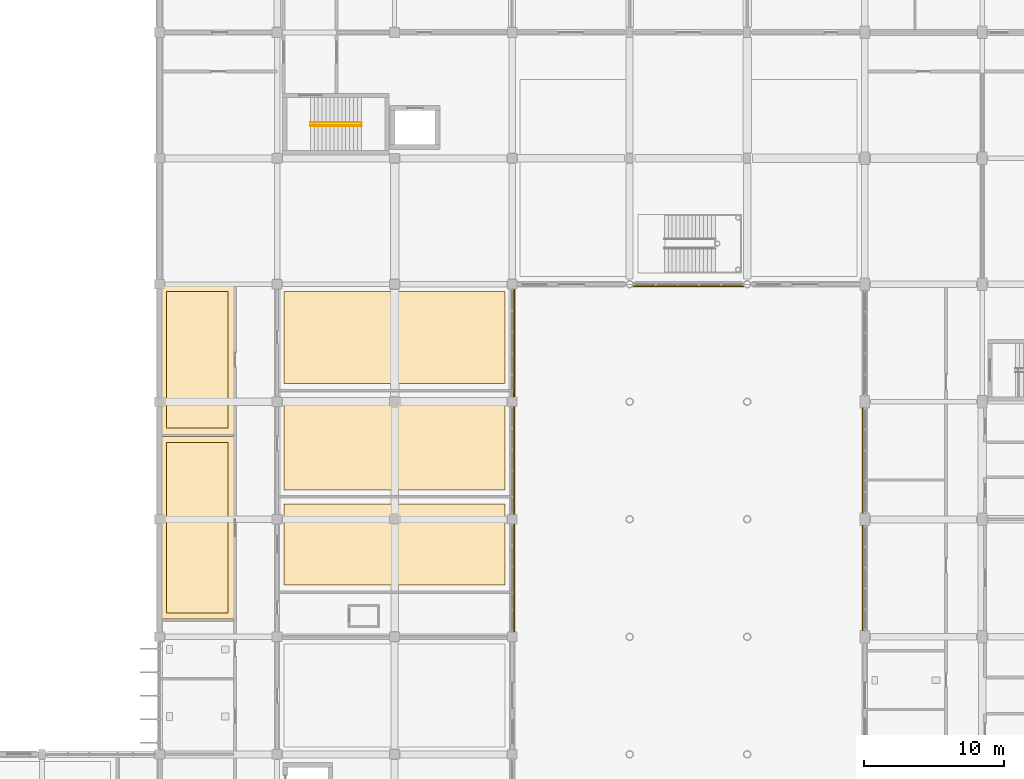
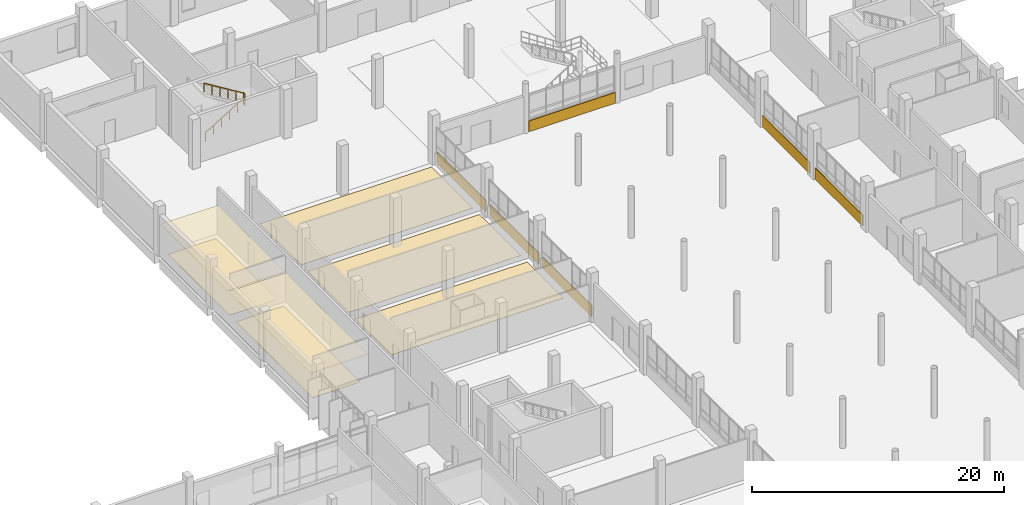
# One storey, part 92 of 95: 13 coverings, 3 railings.
"""IFC4 building model written with IfcOpenShell, lengths in metres."""

from ifc_helpers import new_model, si_unit, direction, frame, origin, origin_2d, place, context, subcontext, project, spatial, polyline, rectangle, circle, outline, extrude, material, layer, layer_set, type_object, element, save


model = new_model("IFC4")

# Units and contexts
model_context = context("Model", 3, precision=1e-05, world=origin(), true_north=direction((0.0, 1.0)))
body_context = subcontext(model_context, "Body", "Model", "MODEL_VIEW")
ifc_project = project(units=[si_unit("LENGTHUNIT", "METRE"), si_unit("AREAUNIT", "SQUARE_METRE"), si_unit("VOLUMEUNIT", "CUBIC_METRE"), si_unit("PLANEANGLEUNIT", "RADIAN"), si_unit("MASSUNIT", "GRAM", prefix="KILO")], contexts=[model_context])

# Site, building, storey
site_placement = place(None, origin())
site = spatial("IfcSite", under=ifc_project, at=site_placement, CompositionType="ELEMENT")
building_placement = place(site_placement, origin())
building = spatial("IfcBuilding", under=site, at=building_placement, Name="Vireocrest Preparatory School", CompositionType="ELEMENT")
storey_placement = place(building_placement, origin())
storey = spatial("IfcBuildingStorey", under=building, at=storey_placement, Name="L00", CompositionType="ELEMENT", Elevation=0.0)

# Coverings
ifc_material_1 = material(Name="Mineral fibre acoustic ceiling tile")
ifc_layer_1 = layer(ifc_material_1, 0.02490234375)
ifc_layer_set_1 = layer_set([ifc_layer_1], Name="Mineral fibre acoustic ceiling tile")
covering_type_1 = type_object("IfcCoveringType", Name="Acoustic Mineral-Fibre Suspended Ceiling", PredefinedType="CEILING", material=ifc_layer_set_1)
covering_1_placement = place(storey_placement, frame((0.0, 0.0, 2.800048828125)))
element("IfcCovering", 1, at=covering_1_placement, inside=storey, type_object=covering_type_1, Name="Suspended Acoustic Ceiling L00-WAW08", PredefinedType="CEILING", context=body_context, shape_type="SweptSolid", body=[
    extrude(outline(polyline([(42.070068359375, 61.8701171875), (47.330078125, 61.8701171875), (47.330078125, 74.929931640625), (42.070068359375, 74.929931640625), (42.070068359375, 61.8701171875)])), origin(), (0.0, 0.0, 1.0), 0.02490234375),
])
covering_2_placement = place(storey_placement, frame((0.0, 0.0, 2.800048828125)))
element("IfcCovering", 2, at=covering_2_placement, inside=storey, type_object=covering_type_1, Name="Suspended Acoustic Ceiling L00-WAW09", PredefinedType="CEILING", context=body_context, shape_type="SweptSolid", body=[
    extrude(outline(polyline([(42.070068359375, 75.070068359375), (47.330078125, 75.070068359375), (47.330078125, 85.72998046875), (42.070068359375, 85.72998046875), (42.070068359375, 75.070068359375)])), origin(), (0.0, 0.0, 1.0), 0.02490234375),
])

# Railing
ifc_material_2 = material(Name="Brushed stainless steel AISI 316", Category="steel")
railing_type_1 = type_object("IfcRailingType", Name="Post-and-Rail Guard Balustrade 1120", PredefinedType="BALUSTRADE", material=ifc_material_2)
railing_1_placement = place(storey_placement, frame((56.39990234375, 97.1298828125, 2.39990234375)))
element("IfcRailing", 3, at=railing_1_placement, inside=storey, type_object=railing_type_1, Name="Half-Landing Well Guard ST3-L00", PredefinedType="BALUSTRADE", context=body_context, shape_type="SweptSolid", body=[
    extrude(circle(Radius=0.02392578125, at=origin_2d()), frame((0.0, 0.0, 1.09619140625), z_axis=(0.0, 1.0, 0.0), x_axis=(-1.0, 0.0, 0.0)), (0.0, 0.0, 1.0), 0.240234375),
    extrude(circle(Radius=0.01806640625, at=origin_2d()), frame((0.0, 0.0, 0.56005859375), z_axis=(0.0, 1.0, 0.0), x_axis=(-1.0, 0.0, 0.0)), (0.0, 0.0, 1.0), 0.240234375),
    extrude(circle(Radius=0.01806640625, at=origin_2d()), frame((0.0, 0.0, 0.10009765625), z_axis=(0.0, 1.0, 0.0), x_axis=(-1.0, 0.0, 0.0)), (0.0, 0.0, 1.0), 0.240234375),
    extrude(circle(Radius=0.02099609375, at=origin_2d()), origin(), (0.0, 0.0, 1.0), 1.072021484375),
    extrude(circle(Radius=0.02099609375, at=origin_2d()), frame((0.0, 0.240234375, 0.0)), (0.0, 0.0, 1.0), 1.072021484375),
])

# Coverings
ifc_material_3 = material(Name="Resilient acoustic linoleum flooring")
ifc_layer_2 = layer(ifc_material_3, 0.014892578125)
ifc_layer_set_2 = layer_set([ifc_layer_2], Name="Resilient acoustic linoleum flooring")
covering_type_2 = type_object("IfcCoveringType", Name="Resilient Linoleum Classroom Flooring", PredefinedType="FLOORING", material=ifc_layer_set_2)
covering_3_placement = place(storey_placement, origin())
element("IfcCovering", 4, at=covering_3_placement, inside=storey, type_object=covering_type_2, Name="Flooring FL3 L00-WAW08", PredefinedType="FLOORING", context=body_context, shape_type="SweptSolid", body=[
    extrude(outline(polyline([(42.510009765625, 62.31005859375), (46.889892578125, 62.31005859375), (46.889892578125, 74.489990234375), (42.510009765625, 74.489990234375), (42.510009765625, 62.31005859375)])), origin(), (0.0, 0.0, 1.0), 0.014892578125),
])
covering_4_placement = place(storey_placement, origin())
element("IfcCovering", 5, at=covering_4_placement, inside=storey, type_object=covering_type_2, Name="Flooring FL3 L00-WAW09", PredefinedType="FLOORING", context=body_context, shape_type="SweptSolid", body=[
    extrude(outline(polyline([(42.510009765625, 75.510009765625), (46.889892578125, 75.510009765625), (46.889892578125, 85.2900390625), (42.510009765625, 85.2900390625), (42.510009765625, 75.510009765625)])), origin(), (0.0, 0.0, 1.0), 0.014892578125),
])
covering_5_placement = place(storey_placement, origin())
element("IfcCovering", 6, at=covering_5_placement, inside=storey, type_object=covering_type_2, Name="Flooring FL3 L00-WAEN03", PredefinedType="FLOORING", context=body_context, shape_type="SweptSolid", body=[
    extrude(outline(polyline([(50.909912109375, 64.31005859375), (66.68994140625, 64.31005859375), (66.68994140625, 70.090087890625), (50.909912109375, 70.090087890625), (50.909912109375, 64.31005859375)])), origin(), (0.0, 0.0, 1.0), 0.014892578125),
])
covering_6_placement = place(storey_placement, origin())
element("IfcCovering", 7, at=covering_6_placement, inside=storey, type_object=covering_type_2, Name="Flooring FL3 L00-WAEN04", PredefinedType="FLOORING", context=body_context, shape_type="SweptSolid", body=[
    extrude(outline(polyline([(50.909912109375, 71.110107421875), (66.68994140625, 71.110107421875), (66.68994140625, 77.68994140625), (50.909912109375, 77.68994140625), (50.909912109375, 71.110107421875)])), origin(), (0.0, 0.0, 1.0), 0.014892578125),
])
covering_7_placement = place(storey_placement, origin())
element("IfcCovering", 8, at=covering_7_placement, inside=storey, type_object=covering_type_2, Name="Flooring FL3 L00-WAEN05", PredefinedType="FLOORING", context=body_context, shape_type="SweptSolid", body=[
    extrude(outline(polyline([(50.909912109375, 78.7099609375), (66.68994140625, 78.7099609375), (66.68994140625, 85.2900390625), (50.909912109375, 85.2900390625), (50.909912109375, 78.7099609375)])), origin(), (0.0, 0.0, 1.0), 0.014892578125),
])

# Railings
railing_type_2 = type_object("IfcRailingType", Name="Stair Pitch Handrail 900", PredefinedType="HANDRAIL", material=ifc_material_2)
railing_2_placement = place(storey_placement, frame((52.780029296875, 97.1298828125, 0.17138671875)))
element("IfcRailing", 9, at=railing_2_placement, inside=storey, type_object=railing_type_2, Name="Stair Handrail ST3-L00-HR1", PredefinedType="HANDRAIL", context=body_context, shape_type="SweptSolid", body=[
    extrude(circle(Radius=0.02392578125, at=origin_2d()), frame((0.0, 0.0, 0.8759765625), z_axis=(0.852850264322, 0.0, 0.5221555579), x_axis=(0.0, 1.0, 0.0)), (0.0, 0.0, 1.0), 4.267822265625),
    extrude(circle(Radius=0.02099609375, at=origin_2d()), origin(), (0.0, 0.0, 1.0), 0.851806640625),
    extrude(circle(Radius=0.02099609375, at=origin_2d()), frame((0.72802734375, 0.0, 0.44580078125)), (0.0, 0.0, 1.0), 0.851806640625),
    extrude(circle(Radius=0.02099609375, at=origin_2d()), frame((1.4560546875, 0.0, 0.891357421875)), (0.0, 0.0, 1.0), 0.851806640625),
    extrude(circle(Radius=0.02099609375, at=origin_2d()), frame((2.183837890625, 0.0, 1.337158203125)), (0.0, 0.0, 1.0), 0.851806640625),
    extrude(circle(Radius=0.02099609375, at=origin_2d()), frame((2.911865234375, 0.0, 1.78271484375)), (0.0, 0.0, 1.0), 0.851806640625),
    extrude(circle(Radius=0.02099609375, at=origin_2d()), frame((3.639892578125, 0.0, 2.228515625)), (0.0, 0.0, 1.0), 0.851806640625),
])
railing_3_placement = place(storey_placement, frame((56.419921875, 97.3701171875, 2.5712890625)))
element("IfcRailing", 10, at=railing_3_placement, inside=storey, type_object=railing_type_2, Name="Stair Handrail ST3-L00-HR2", PredefinedType="HANDRAIL", context=body_context, shape_type="SweptSolid", body=[
    extrude(circle(Radius=0.02392578125, at=origin_2d()), frame((0.0, 0.0, 0.8759765625), z_axis=(-0.852824790078, 0.0, 0.522197163366), x_axis=(0.0, -1.0, 0.0)), (0.0, 0.0, 1.0), 4.26806640625),
    extrude(circle(Radius=0.02099609375, at=origin_2d()), origin(), (0.0, 0.0, 1.0), 0.851806640625),
    extrude(circle(Radius=0.02099609375, at=origin_2d()), frame((-0.72802734375, 0.0, 0.44580078125)), (0.0, 0.0, 1.0), 0.851806640625),
    extrude(circle(Radius=0.02099609375, at=origin_2d()), frame((-1.4560546875, 0.0, 0.8916015625)), (0.0, 0.0, 1.0), 0.851806640625),
    extrude(circle(Radius=0.02099609375, at=origin_2d()), frame((-2.183837890625, 0.0, 1.337158203125)), (0.0, 0.0, 1.0), 0.851806640625),
    extrude(circle(Radius=0.02099609375, at=origin_2d()), frame((-2.911865234375, 0.0, 1.782958984375)), (0.0, 0.0, 1.0), 0.851806640625),
    extrude(circle(Radius=0.02099609375, at=origin_2d()), frame((-3.639892578125, 0.0, 2.228759765625)), (0.0, 0.0, 1.0), 0.851806640625),
])

# Coverings
ifc_material_4 = material(Name="Painted white aluminium cladding EN AW-6063-T6", Category="aluminium")
ifc_layer_3 = layer(ifc_material_4, 0.044921875)
ifc_layer_set_3 = layer_set([ifc_layer_3], Name="Painted white aluminium cladding EN AW-6063-T6")
covering_type_3 = type_object("IfcCoveringType", Name="White High-Tech Horizontal Spandrel Cladding Band", PredefinedType="CLADDING", material=ifc_layer_set_3)
for number, where, z_axis, x_axis, name in (
    (11, (67.3349609375, 64.800048828125, 0.030029296875), (0.0, 0.0, 1.0), (1.0, 0.0, 0.0), "White Court Spandrel Band L00-0118"),
    (12, (67.3349609375, 73.199951171875, 0.030029296875), (0.0, 0.0, 1.0), (1.0, 0.0, 0.0), "White Court Spandrel Band L00-0119"),
    (13, (67.3349609375, 81.60009765625, 0.030029296875), (0.0, 0.0, 1.0), (1.0, 0.0, 0.0), "White Court Spandrel Band L00-0120"),
):
    element("IfcCovering", number, at=place(storey_placement, frame(where, z_axis=z_axis, x_axis=x_axis)), inside=storey, type_object=covering_type_3, Name=name, PredefinedType="CLADDING", context=body_context, shape_type="SweptSolid", body=[
        extrude(rectangle(XDim=0.0849609375, YDim=7.75, at=origin_2d()), origin(), (0.0, 0.0, 1.0), 1.10009765625),
    ])
covering_8_placement = place(storey_placement, frame((79.800048828125, 85.6650390625, 0.02490234375), z_axis=(0.0, 0.0, 1.0), x_axis=(1.0, 0.0, 0.0)))
element("IfcCovering", 14, at=covering_8_placement, inside=storey, type_object=covering_type_3, Name="White Court Band Cladding L00-0122", PredefinedType="CLADDING", context=body_context, shape_type="SweptSolid", body=[
    extrude(rectangle(XDim=7.94189453125, YDim=0.0849609375, at=origin_2d()), origin(), (0.0, 0.0, 1.0), 1.050048828125),
])
for number, where, z_axis, x_axis, name in (
    (15, (92.264892578125, 64.800048828125, 0.030029296875), (0.0, 0.0, 1.0), (1.0, 0.0, 0.0), "White Court Spandrel Band L00-0129"),
    (16, (92.264892578125, 73.199951171875, 0.030029296875), (0.0, 0.0, 1.0), (1.0, 0.0, 0.0), "White Court Spandrel Band L00-0130"),
):
    element("IfcCovering", number, at=place(storey_placement, frame(where, z_axis=z_axis, x_axis=x_axis)), inside=storey, type_object=covering_type_3, Name=name, PredefinedType="CLADDING", context=body_context, shape_type="SweptSolid", body=[
        extrude(rectangle(XDim=0.0849609375, YDim=7.550048828125, at=origin_2d()), origin(), (0.0, 0.0, 1.0), 1.10009765625),
    ])

save(model, "model.ifc")
